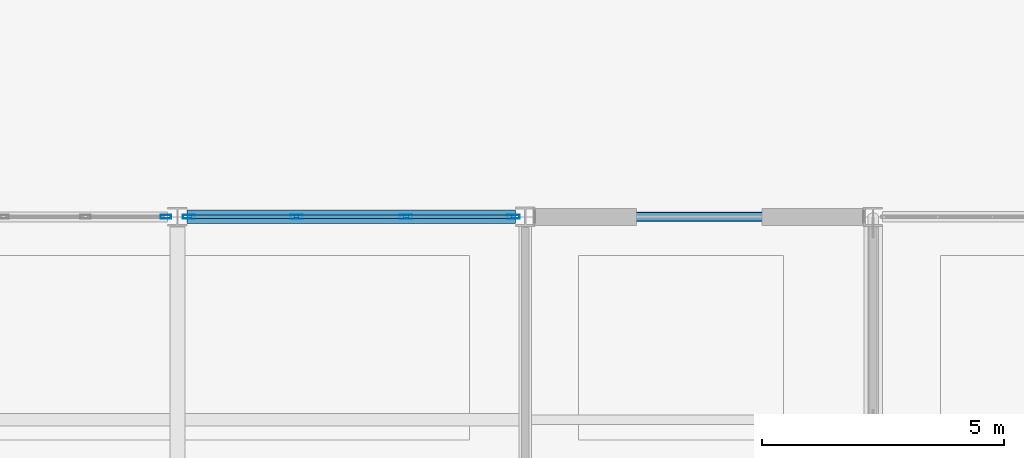
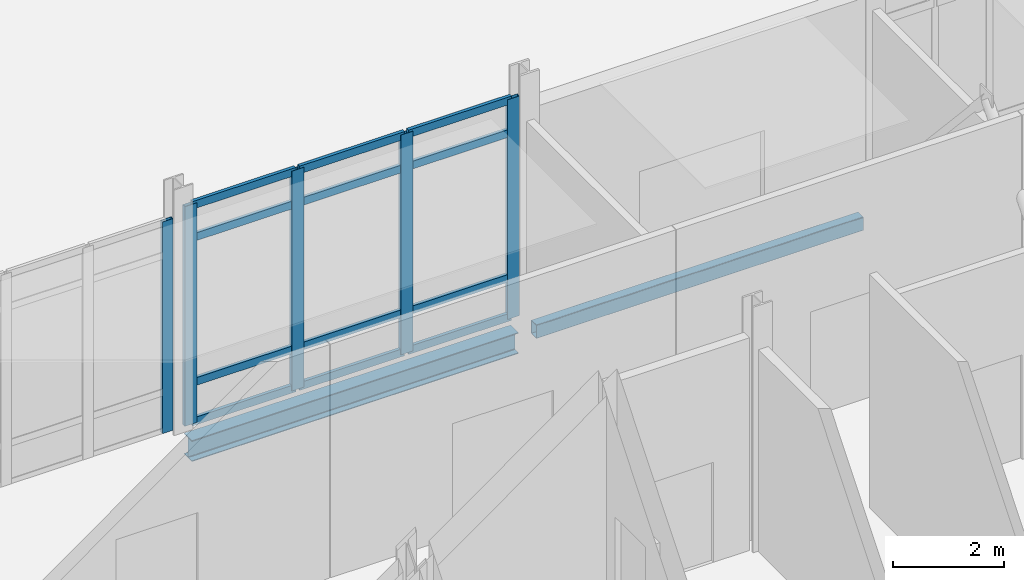
# One storey, part 126 of 229: 17 members, 2 beams, 2 elements without a shape of their own.
"""IFC4 building model written with IfcOpenShell, lengths in metres."""

from ifc_helpers import new_model, si_unit, direction, frame, origin, origin_2d, place, context, subcontext, project, spatial, hollow_rectangle, i_section, extrude, material, layer, layer_set, material_profile, profile_set, type_object, element, aggregate, save


model = new_model("IFC4")

# Units and contexts
model_context = context("Model", 3, precision=1e-05, world=origin(), true_north=direction((0.0, 1.0)))
body_context = subcontext(model_context, "Body", "Model", "MODEL_VIEW")
ifc_project = project(units=[si_unit("LENGTHUNIT", "METRE"), si_unit("AREAUNIT", "SQUARE_METRE"), si_unit("VOLUMEUNIT", "CUBIC_METRE"), si_unit("PLANEANGLEUNIT", "RADIAN"), si_unit("MASSUNIT", "GRAM", prefix="KILO")], contexts=[model_context])

# Site, building, storey
site_placement = place(None, origin())
site = spatial("IfcSite", under=ifc_project, at=site_placement, CompositionType="ELEMENT")
building_placement = place(site_placement, origin())
building = spatial("IfcBuilding", under=site, at=building_placement, Name="Calvrana Isthmian Art Gallery", CompositionType="ELEMENT")
storey_placement = place(building_placement, origin())
storey = spatial("IfcBuildingStorey", under=building, at=storey_placement, Name="L00", CompositionType="ELEMENT", Elevation=0.0)

# Beams
ifc_material_1 = material(Name="Steel ASTM A992 Gr 50", Category="steel")
ifc_material_profile_1 = material_profile(ifc_material_1, i_section(OverallWidth=0.279052734375, OverallDepth=0.4619140625, WebThickness=0.0107421875, FlangeThickness=0.017333984375, FilletRadius=0.02001953125, at=origin_2d()), Name="W18X76")
ifc_profile_set_1 = profile_set([ifc_material_profile_1], Name="Steel ASTM A992 Gr 50")
beam_type_1 = type_object("IfcBeamType", Name="BM-G-W18X76", PredefinedType="BEAM", material=ifc_profile_set_1)
beam_1_placement = place(storey_placement, frame((127.403076171875, 46.800048828125, -0.51611328125), z_axis=(1.0, 0.0, 0.0), x_axis=(0.0, 1.0, 0.0)))
element("IfcBeam", 1, at=beam_1_placement, inside=storey, type_object=beam_type_1, Name="Girder X L00 17-18/G", PredefinedType="BEAM", context=body_context, shape_type="SweptSolid", body=[
    extrude(i_section(OverallWidth=0.279052734375, OverallDepth=0.4619140625, WebThickness=0.0107421875, FlangeThickness=0.017333984375, FilletRadius=0.02001953125, at=origin_2d()), origin(), (0.0, 0.0, 1.0), 6.79638671875),
])
ifc_material_2 = material(Name="Steel ASTM A500 Gr C", Category="steel")
ifc_material_profile_2 = material_profile(ifc_material_2, hollow_rectangle(XDim=0.203125, YDim=0.3046875, WallThickness=0.0126953125, OuterFilletRadius=0.02490234375, at=origin_2d()), Name="HSS305X203X12.7")
ifc_profile_set_2 = profile_set([ifc_material_profile_2], Name="Steel ASTM A500 Gr C")
beam_type_2 = type_object("IfcBeamType", Name="BM-SP-HSS305", PredefinedType="SPANDREL", material=ifc_profile_set_2)
beam_2_placement = place(storey_placement, frame((134.6005859375, 46.800048828125, -0.4375), z_axis=(1.0, 0.0, 0.0), x_axis=(0.0, 1.0, 0.0)))
element("IfcBeam", 2, at=beam_2_placement, inside=storey, type_object=beam_type_2, Name="Girder X L00 18-19/G", PredefinedType="SPANDREL", context=body_context, shape_type="SweptSolid", body=[
    extrude(hollow_rectangle(XDim=0.203125, YDim=0.3046875, WallThickness=0.0126953125, OuterFilletRadius=0.02490234375, at=origin_2d()), origin(), (0.0, 0.0, 1.0), 6.7998046875),
])

# Curtain wall, member
ifc_material_3 = material(Name="Anodized bronze aluminium 6063-T6", Category="aluminium")
ifc_layer_1 = layer(ifc_material_3, 0.179931640625, Name="Anodized bronze aluminium 6063-T6")
ifc_layer_set_1 = layer_set([ifc_layer_1], Name="Anodized bronze aluminium 6063-T6")
curtain_wall_type_1 = type_object("IfcCurtainWallType", Name="CW-STICK-068X47", PredefinedType="NOTDEFINED", material=ifc_layer_set_1)
curtain_wall_1_placement = place(storey_placement, origin())
curtain_wall_1 = element("IfcCurtainWall", 3, at=curtain_wall_1_placement, inside=storey, type_object=curtain_wall_type_1, Name="Curtain wall CW-022", PredefinedType="NOTDEFINED")
ifc_material_profile_3 = material_profile(ifc_material_3, hollow_rectangle(XDim=0.074951171875, YDim=0.219970703125, WallThickness=0.0048828125, at=origin_2d()), Name="CWM75X220")
ifc_profile_set_3 = profile_set([ifc_material_profile_3], Name="Anodized bronze aluminium 6063-T6")
member_type_1 = type_object("IfcMemberType", Name="CWM-CWM75X220", PredefinedType="MULLION", material=ifc_profile_set_3)
member_1_placement = place(storey_placement, frame((126.962890625, 46.800048828125, 0.0), z_axis=(0.0, 0.0, 1.0), x_axis=(0.0, 1.0, 0.0)))
member_1 = element("IfcMember", 4, at=member_1_placement, type_object=member_type_1, Name="CW-022 mullion 5", PredefinedType="MULLION", context=body_context, shape_type="SweptSolid", body=[
    extrude(hollow_rectangle(XDim=0.074951171875, YDim=0.219970703125, WallThickness=0.0048828125, at=origin_2d()), origin(), (0.0, 0.0, 1.0), 4.657958984375),
])
aggregate(curtain_wall_1, [member_1])

# Curtain wall, members
ifc_layer_2 = layer(ifc_material_3, 0.179931640625, Name="Anodized bronze aluminium 6063-T6")
ifc_layer_set_2 = layer_set([ifc_layer_2], Name="Anodized bronze aluminium 6063-T6")
curtain_wall_type_2 = type_object("IfcCurtainWallType", Name="CW-UNIT-068X48", PredefinedType="USERDEFINED", material=ifc_layer_set_2)
curtain_wall_2_placement = place(storey_placement, origin())
curtain_wall_2 = element("IfcCurtainWall", 5, at=curtain_wall_2_placement, inside=storey, type_object=curtain_wall_type_2, Name="Curtain wall CW-023", ObjectType="UNITISED CURTAIN WALL", PredefinedType="USERDEFINED")
ifc_material_profile_4 = material_profile(ifc_material_3, hollow_rectangle(XDim=0.080078125, YDim=0.25, WallThickness=0.005615234375, at=origin_2d()), Name="CWM80X250")
ifc_profile_set_4 = profile_set([ifc_material_profile_4], Name="Anodized bronze aluminium 6063-T6")
member_type_2 = type_object("IfcMemberType", Name="CWM-CWM80X250", PredefinedType="MULLION", material=ifc_profile_set_4)
member_2_placement = place(storey_placement, frame((127.439453125, 46.800048828125, 0.0), z_axis=(0.0, 0.0, 1.0), x_axis=(0.0, 1.0, 0.0)))
member_2 = element("IfcMember", 6, at=member_2_placement, type_object=member_type_2, Name="CW-023 mullion 1", PredefinedType="MULLION", context=body_context, shape_type="SweptSolid", body=[
    extrude(hollow_rectangle(XDim=0.080078125, YDim=0.25, WallThickness=0.005615234375, at=origin_2d()), origin(), (0.0, 0.0, 1.0), 4.835205078125),
])
member_3_placement = place(storey_placement, frame((129.665771484375, 46.800048828125, 0.0), z_axis=(0.0, 0.0, 1.0), x_axis=(0.0, 1.0, 0.0)))
member_3 = element("IfcMember", 7, at=member_3_placement, type_object=member_type_2, Name="CW-023 mullion 2", PredefinedType="MULLION", context=body_context, shape_type="SweptSolid", body=[
    extrude(hollow_rectangle(XDim=0.080078125, YDim=0.25, WallThickness=0.005615234375, at=origin_2d()), origin(), (0.0, 0.0, 1.0), 4.835205078125),
])
member_4_placement = place(storey_placement, frame((131.931884765625, 46.800048828125, 0.0), z_axis=(0.0, 0.0, 1.0), x_axis=(0.0, 1.0, 0.0)))
member_4 = element("IfcMember", 8, at=member_4_placement, type_object=member_type_2, Name="CW-023 mullion 3", PredefinedType="MULLION", context=body_context, shape_type="SweptSolid", body=[
    extrude(hollow_rectangle(XDim=0.080078125, YDim=0.25, WallThickness=0.005615234375, at=origin_2d()), origin(), (0.0, 0.0, 1.0), 4.835205078125),
])
member_5_placement = place(storey_placement, frame((134.157958984375, 46.800048828125, 0.0), z_axis=(0.0, 0.0, 1.0), x_axis=(0.0, 1.0, 0.0)))
member_5 = element("IfcMember", 9, at=member_5_placement, type_object=member_type_2, Name="CW-023 mullion 4", PredefinedType="MULLION", context=body_context, shape_type="SweptSolid", body=[
    extrude(hollow_rectangle(XDim=0.080078125, YDim=0.25, WallThickness=0.005615234375, at=origin_2d()), origin(), (0.0, 0.0, 1.0), 4.835205078125),
])
ifc_material_profile_5 = material_profile(ifc_material_3, hollow_rectangle(XDim=0.070068359375, YDim=0.169921875, WallThickness=0.00439453125, at=origin_2d()), Name="CWT70X170")
ifc_profile_set_5 = profile_set([ifc_material_profile_5], Name="Anodized bronze aluminium 6063-T6")
member_type_3 = type_object("IfcMemberType", Name="CWT-CWT70X170", PredefinedType="USERDEFINED", material=ifc_profile_set_5)
member_6_placement = place(storey_placement, frame((127.4794921875, 46.800048828125, 0.034912109375), z_axis=(1.0, 0.0, 0.0), x_axis=(0.0, 1.0, 0.0)))
member_6 = element("IfcMember", 10, at=member_6_placement, type_object=member_type_3, Name="CW-023 transom 1.1", ObjectType="TRANSOM", PredefinedType="USERDEFINED", context=body_context, shape_type="SweptSolid", body=[
    extrude(hollow_rectangle(XDim=0.070068359375, YDim=0.169921875, WallThickness=0.00439453125, at=origin_2d()), origin(), (0.0, 0.0, 1.0), 2.146240234375),
])
member_7_placement = place(storey_placement, frame((127.4794921875, 46.800048828125, 0.89990234375), z_axis=(1.0, 0.0, 0.0), x_axis=(0.0, 1.0, 0.0)))
member_7 = element("IfcMember", 11, at=member_7_placement, type_object=member_type_3, Name="CW-023 transom 1.2", ObjectType="TRANSOM", PredefinedType="USERDEFINED", context=body_context, shape_type="SweptSolid", body=[
    extrude(hollow_rectangle(XDim=0.070068359375, YDim=0.169921875, WallThickness=0.00439453125, at=origin_2d()), origin(), (0.0, 0.0, 1.0), 2.146240234375),
])
member_8_placement = place(storey_placement, frame((127.4794921875, 46.800048828125, 4.085205078125), z_axis=(1.0, 0.0, 0.0), x_axis=(0.0, 1.0, 0.0)))
member_8 = element("IfcMember", 12, at=member_8_placement, type_object=member_type_3, Name="CW-023 transom 1.3", ObjectType="TRANSOM", PredefinedType="USERDEFINED", context=body_context, shape_type="SweptSolid", body=[
    extrude(hollow_rectangle(XDim=0.070068359375, YDim=0.169921875, WallThickness=0.00439453125, at=origin_2d()), origin(), (0.0, 0.0, 1.0), 2.146240234375),
])
member_9_placement = place(storey_placement, frame((127.4794921875, 46.800048828125, 4.80029296875), z_axis=(1.0, 0.0, 0.0), x_axis=(0.0, 1.0, 0.0)))
member_9 = element("IfcMember", 13, at=member_9_placement, type_object=member_type_3, Name="CW-023 transom 1.4", ObjectType="TRANSOM", PredefinedType="USERDEFINED", context=body_context, shape_type="SweptSolid", body=[
    extrude(hollow_rectangle(XDim=0.070068359375, YDim=0.169921875, WallThickness=0.00439453125, at=origin_2d()), origin(), (0.0, 0.0, 1.0), 2.146240234375),
])
member_10_placement = place(storey_placement, frame((129.70556640625, 46.800048828125, 0.034912109375), z_axis=(1.0, 0.0, 0.0), x_axis=(0.0, 1.0, 0.0)))
member_10 = element("IfcMember", 14, at=member_10_placement, type_object=member_type_3, Name="CW-023 transom 2.1", ObjectType="TRANSOM", PredefinedType="USERDEFINED", context=body_context, shape_type="SweptSolid", body=[
    extrude(hollow_rectangle(XDim=0.070068359375, YDim=0.169921875, WallThickness=0.00439453125, at=origin_2d()), origin(), (0.0, 0.0, 1.0), 2.186279296875),
])
member_11_placement = place(storey_placement, frame((129.70556640625, 46.800048828125, 0.89990234375), z_axis=(1.0, 0.0, 0.0), x_axis=(0.0, 1.0, 0.0)))
member_11 = element("IfcMember", 15, at=member_11_placement, type_object=member_type_3, Name="CW-023 transom 2.2", ObjectType="TRANSOM", PredefinedType="USERDEFINED", context=body_context, shape_type="SweptSolid", body=[
    extrude(hollow_rectangle(XDim=0.070068359375, YDim=0.169921875, WallThickness=0.00439453125, at=origin_2d()), origin(), (0.0, 0.0, 1.0), 2.186279296875),
])
member_12_placement = place(storey_placement, frame((129.70556640625, 46.800048828125, 4.085205078125), z_axis=(1.0, 0.0, 0.0), x_axis=(0.0, 1.0, 0.0)))
member_12 = element("IfcMember", 16, at=member_12_placement, type_object=member_type_3, Name="CW-023 transom 2.3", ObjectType="TRANSOM", PredefinedType="USERDEFINED", context=body_context, shape_type="SweptSolid", body=[
    extrude(hollow_rectangle(XDim=0.070068359375, YDim=0.169921875, WallThickness=0.00439453125, at=origin_2d()), origin(), (0.0, 0.0, 1.0), 2.186279296875),
])
member_13_placement = place(storey_placement, frame((129.70556640625, 46.800048828125, 4.80029296875), z_axis=(1.0, 0.0, 0.0), x_axis=(0.0, 1.0, 0.0)))
member_13 = element("IfcMember", 17, at=member_13_placement, type_object=member_type_3, Name="CW-023 transom 2.4", ObjectType="TRANSOM", PredefinedType="USERDEFINED", context=body_context, shape_type="SweptSolid", body=[
    extrude(hollow_rectangle(XDim=0.070068359375, YDim=0.169921875, WallThickness=0.00439453125, at=origin_2d()), origin(), (0.0, 0.0, 1.0), 2.186279296875),
])
member_14_placement = place(storey_placement, frame((131.971923828125, 46.800048828125, 0.034912109375), z_axis=(1.0, 0.0, 0.0), x_axis=(0.0, 1.0, 0.0)))
member_14 = element("IfcMember", 18, at=member_14_placement, type_object=member_type_3, Name="CW-023 transom 3.1", ObjectType="TRANSOM", PredefinedType="USERDEFINED", context=body_context, shape_type="SweptSolid", body=[
    extrude(hollow_rectangle(XDim=0.070068359375, YDim=0.169921875, WallThickness=0.00439453125, at=origin_2d()), origin(), (0.0, 0.0, 1.0), 2.14599609375),
])
member_15_placement = place(storey_placement, frame((131.971923828125, 46.800048828125, 0.89990234375), z_axis=(1.0, 0.0, 0.0), x_axis=(0.0, 1.0, 0.0)))
member_15 = element("IfcMember", 19, at=member_15_placement, type_object=member_type_3, Name="CW-023 transom 3.2", ObjectType="TRANSOM", PredefinedType="USERDEFINED", context=body_context, shape_type="SweptSolid", body=[
    extrude(hollow_rectangle(XDim=0.070068359375, YDim=0.169921875, WallThickness=0.00439453125, at=origin_2d()), origin(), (0.0, 0.0, 1.0), 2.14599609375),
])
member_16_placement = place(storey_placement, frame((131.971923828125, 46.800048828125, 4.085205078125), z_axis=(1.0, 0.0, 0.0), x_axis=(0.0, 1.0, 0.0)))
member_16 = element("IfcMember", 20, at=member_16_placement, type_object=member_type_3, Name="CW-023 transom 3.3", ObjectType="TRANSOM", PredefinedType="USERDEFINED", context=body_context, shape_type="SweptSolid", body=[
    extrude(hollow_rectangle(XDim=0.070068359375, YDim=0.169921875, WallThickness=0.00439453125, at=origin_2d()), origin(), (0.0, 0.0, 1.0), 2.14599609375),
])
member_17_placement = place(storey_placement, frame((131.971923828125, 46.800048828125, 4.80029296875), z_axis=(1.0, 0.0, 0.0), x_axis=(0.0, 1.0, 0.0)))
member_17 = element("IfcMember", 21, at=member_17_placement, type_object=member_type_3, Name="CW-023 transom 3.4", ObjectType="TRANSOM", PredefinedType="USERDEFINED", context=body_context, shape_type="SweptSolid", body=[
    extrude(hollow_rectangle(XDim=0.070068359375, YDim=0.169921875, WallThickness=0.00439453125, at=origin_2d()), origin(), (0.0, 0.0, 1.0), 2.14599609375),
])
aggregate(curtain_wall_2, [member_2, member_3, member_4, member_5, member_6, member_7, member_8, member_9, member_10, member_11, member_12, member_13, member_14, member_15, member_16, member_17])

save(model, "model.ifc")
